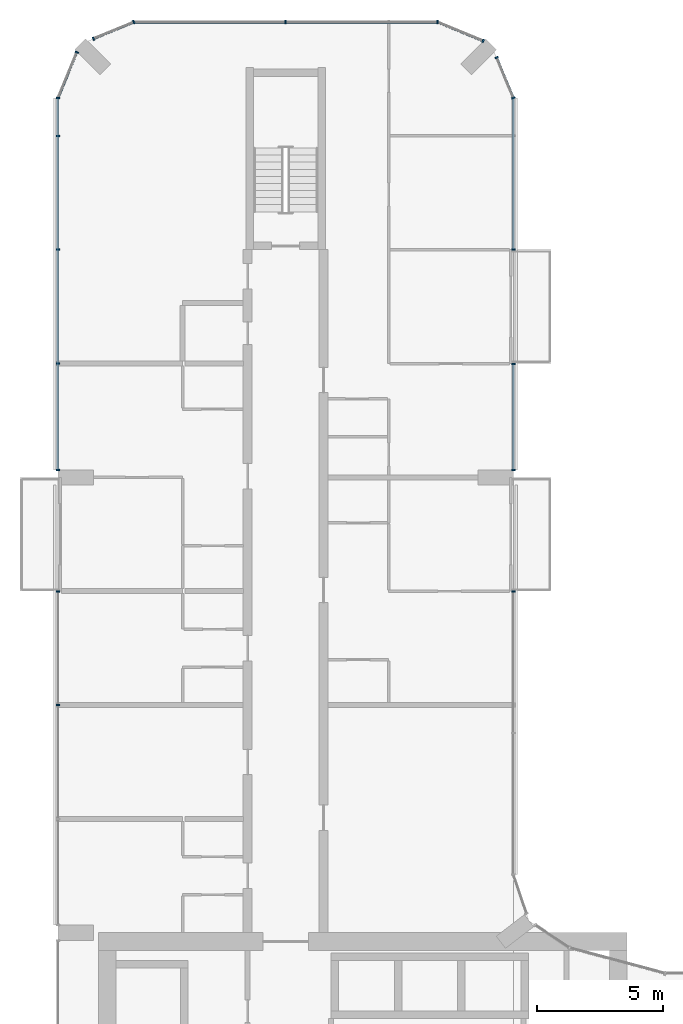
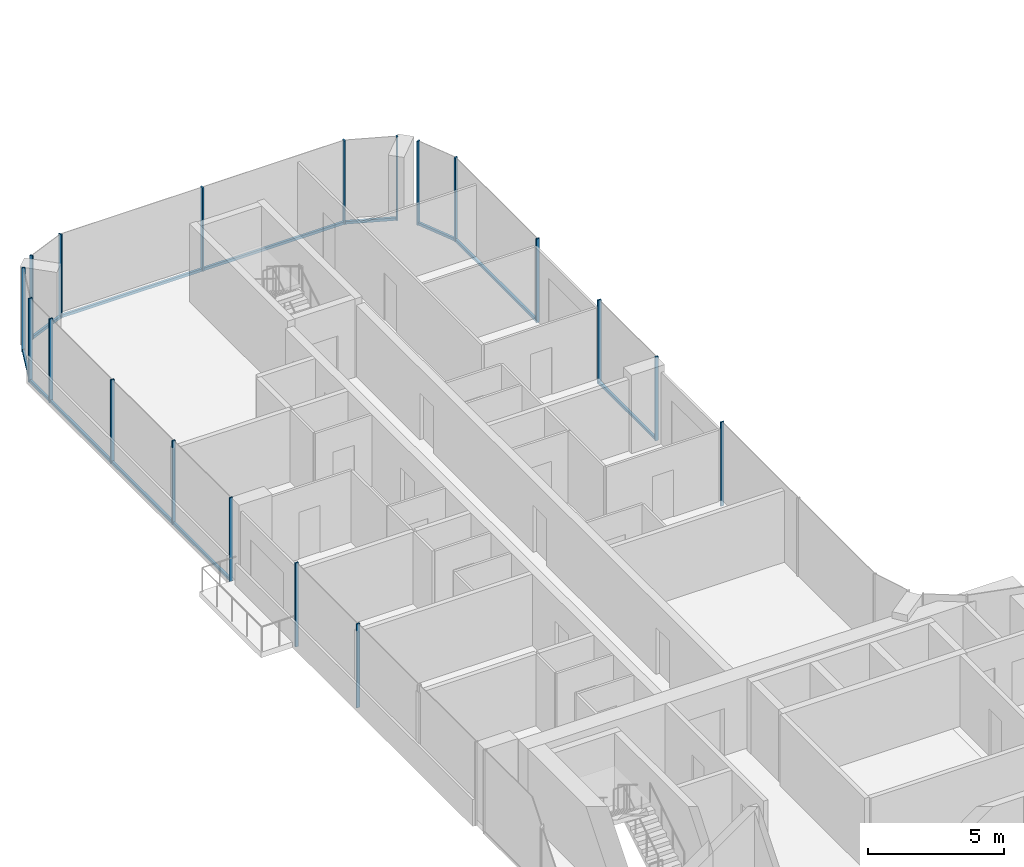
# One storey, part 6 of 22: 27 members, 10 elements without a shape of their own.
"""IFC4 building model written with IfcOpenShell, lengths in metres."""

import ifcopenshell
import ifcopenshell.guid

model = None  # the IFC model being written
_history = None  # IfcOwnerHistory: only IFC2X3 demands one
_inside = {}  # id of a spatial element -> (the spatial element, [elements in it])
_under = {}  # id of a project, library or spatial element -> (it, [spatial elements below it])
_declared = {}  # id of a project -> (the project, [libraries it declares])
_typed = {}  # id of a type object -> (the type object, [elements of that type])
_made_of = {}  # id of a material, layer set ... -> (it, [elements and type objects made of it])


def new_model(schema):
    """Start an empty IFC model of exactly this schema.

    Asked for "IFC4X3", IfcOpenShell would pick the latest addendum, in which some entities
    have other attributes; the version numbers below select the first issue.
    IFC2X3 requires an IfcOwnerHistory on every rooted entity: one is made here for all.
    """
    global model, _history
    if schema == "IFC4X3":
        model = ifcopenshell.file(schema_version=(4, 3, 0, 0))
    else:
        model = ifcopenshell.file(schema=schema)
    _inside.clear()
    _under.clear()
    _declared.clear()
    _typed.clear()
    _made_of.clear()
    _history = None
    if model.schema == "IFC2X3":
        org = make("IfcOrganization", Name="unknown")
        user = make(
            "IfcPersonAndOrganization",
            ThePerson=make("IfcPerson", FamilyName="unknown"),
            TheOrganization=org,
        )
        app = make(
            "IfcApplication",
            ApplicationDeveloper=org,
            Version="unknown",
            ApplicationFullName="unknown",
            ApplicationIdentifier="unknown",
        )
        _history = make(
            "IfcOwnerHistory",
            OwningUser=user,
            OwningApplication=app,
            ChangeAction="ADDED",
            CreationDate=0,
        )
    return model


def make(cls, **values):
    """One entity of the class cls with the attributes given. An attribute that is None is left unset."""
    return model.create_entity(
        cls, **{name: value for name, value in values.items() if value is not None}
    )


def rooted(cls, **values):
    """An entity with a GlobalId (a new one), such as an element, a storey or a relation."""
    return make(cls, GlobalId=ifcopenshell.guid.new(), OwnerHistory=_history, **values)


def si_unit(unit_type, name, prefix=None):
    """IfcSIUnit, for example si_unit("LENGTHUNIT", "METRE", prefix="MILLI")."""
    return make("IfcSIUnit", UnitType=unit_type, Prefix=prefix, Name=name)


def assignment(units):
    """IfcUnitAssignment: the units of a project."""
    return None if units is None else make("IfcUnitAssignment", Units=units)


def point(xyz):
    """IfcCartesianPoint."""
    return None if xyz is None else make("IfcCartesianPoint", Coordinates=xyz)


def direction(xyz):
    """IfcDirection."""
    return None if xyz is None else make("IfcDirection", DirectionRatios=xyz)


def frame(location, z_axis=None, x_axis=None):
    """IfcAxis2Placement3D, a coordinate frame: its origin and axes. An axis left out is left unset."""
    return make(
        "IfcAxis2Placement3D",
        Location=point(location),
        Axis=direction(z_axis),
        RefDirection=direction(x_axis),
    )


def frame_2d(location, x_axis=None):
    """IfcAxis2Placement2D, a coordinate frame in the plane: its origin and x axis."""
    return make(
        "IfcAxis2Placement2D", Location=point(location), RefDirection=direction(x_axis)
    )


def origin():
    """The frame at (0, 0, 0) with its axes left unset."""
    return frame((0.0, 0.0, 0.0))


def origin_2d():
    """The frame at (0, 0) in the plane with its x axis left unset."""
    return frame_2d((0.0, 0.0))


def place(relative_to, where):
    """IfcLocalPlacement: puts the frame where relative to a parent placement (None: the world)."""
    return make(
        "IfcLocalPlacement", PlacementRelTo=relative_to, RelativePlacement=where
    )


def context(
    kind, dimensions, precision=None, world=None, true_north=None, identifier=None
):
    """IfcGeometricRepresentationContext, for example the 3D "Model" context."""
    return make(
        "IfcGeometricRepresentationContext",
        ContextIdentifier=identifier,
        ContextType=kind,
        CoordinateSpaceDimension=dimensions,
        Precision=precision,
        WorldCoordinateSystem=world,
        TrueNorth=true_north,
    )


def subcontext(parent, identifier, kind, view, scale=None):
    """IfcGeometricRepresentationSubContext, for example "Body" below "Model"."""
    return make(
        "IfcGeometricRepresentationSubContext",
        ContextIdentifier=identifier,
        ContextType=kind,
        ParentContext=parent,
        TargetScale=scale,
        TargetView=view,
    )


def project(units=None, contexts=None):
    """IfcProject with its units and contexts."""
    return rooted(
        "IfcProject",
        Name="project",
        RepresentationContexts=contexts,
        UnitsInContext=assignment(units),
    )


def spatial(cls, under=None, at=None, **own):
    """A site, building, storey or space (cls), placed at a placement, below another one or the project."""
    s = rooted(cls, ObjectPlacement=at, **own)
    if under is not None:
        _under.setdefault(under.id(), (under, []))[1].append(s)
    return s


def profile(cls, at=None, kind="AREA", **sizes):
    """A parametric profile (cls). Its sizes go by their IFC names, for example OverallWidth=200.0."""
    return make(cls, ProfileType=kind, Position=at, **sizes)


def rectangle(**sizes):
    """IfcRectangleProfileDef."""
    return profile("IfcRectangleProfileDef", **sizes)


def extrude(swept, where, along, depth):
    """IfcExtrudedAreaSolid: the profile swept, set in the frame where, extruded along a direction by depth."""
    return make(
        "IfcExtrudedAreaSolid",
        SweptArea=swept,
        Position=where,
        ExtrudedDirection=direction(along),
        Depth=depth,
    )


def shape(context_of_items, identifier, shape_type, items):
    """IfcShapeRepresentation: the items that make up one representation, for example the "Body"."""
    return make(
        "IfcShapeRepresentation",
        ContextOfItems=context_of_items,
        RepresentationIdentifier=identifier,
        RepresentationType=shape_type,
        Items=items,
    )


def material(Name=None, Category=None):
    """IfcMaterial."""
    return make("IfcMaterial", Name=Name, Category=Category)


def layer(
    of_material, thickness, ventilated=None, Name=None, Category=None, Priority=None
):
    """IfcMaterialLayer: one layer of a wall or slab, of a material (None: an air gap)."""
    return make(
        "IfcMaterialLayer",
        Material=of_material,
        LayerThickness=thickness,
        IsVentilated=ventilated,
        Name=Name,
        Category=Category,
        Priority=Priority,
    )


def layer_set(layers, Name=None):
    """IfcMaterialLayerSet."""
    return make("IfcMaterialLayerSet", MaterialLayers=layers, LayerSetName=Name)


def material_profile(
    of_material, cross_section, Name=None, Category=None, Priority=None
):
    """IfcMaterialProfile: a cross section and its material."""
    return make(
        "IfcMaterialProfile",
        Name=Name,
        Material=of_material,
        Profile=cross_section,
        Priority=Priority,
        Category=Category,
    )


def profile_set(profiles, Name=None, composite=None):
    """IfcMaterialProfileSet."""
    return make(
        "IfcMaterialProfileSet",
        Name=Name,
        MaterialProfiles=profiles,
        CompositeProfile=composite,
    )


def made_of(thing, what):
    """Note that an element or type object is made of a material, layer set ...; save() writes the relation."""
    if what is not None:
        _made_of.setdefault(what.id(), (what, []))[1].append(thing)
    return thing


def type_object(cls, material=None, **own):
    """A type object (cls), such as IfcWallType, which elements share."""
    return made_of(rooted(cls, **own), material)


def element(
    cls,
    number,
    at=None,
    inside=None,
    cuts=None,
    type_object=None,
    material=None,
    context=None,
    identifier="Body",
    shape_type=None,
    held_by="IfcProductDefinitionShape",
    body=None,
    shapes=None,
    **own,
):
    """One element of the class cls, such as IfcWall. Its Tag is "e" and its number.

    at: its placement. inside: the storey or other place that contains it. cuts: it is an
    opening in that element (IfcRelVoidsElement). A single representation is given by context,
    identifier, shape_type and body (its items); several are given by shapes. held_by: the class
    of the entity that holds the representations. save() writes the other relations.
    """
    e = rooted(cls, Tag="e%d" % number, ObjectPlacement=at, **own)
    if body is not None:
        shapes = [shape(context, identifier, shape_type, body)]
    if shapes is not None:
        e.Representation = make(held_by, Representations=shapes)
    if inside is not None:
        _inside.setdefault(inside.id(), (inside, []))[1].append(e)
    if cuts is not None:
        rooted(
            "IfcRelVoidsElement", RelatingBuildingElement=cuts, RelatedOpeningElement=e
        )
    if type_object is not None:
        _typed.setdefault(type_object.id(), (type_object, []))[1].append(e)
    return made_of(e, material)


def aggregate(whole, parts):
    """IfcRelAggregates: a whole, such as a stair, and the parts it consists of."""
    return rooted("IfcRelAggregates", RelatingObject=whole, RelatedObjects=parts)


def save(model, path):
    """Write the relations noted so far, then the file.

    IfcRelAggregates (storeys below a building ...), IfcRelContainedInSpatialStructure (elements
    in a storey), IfcRelDefinesByType, IfcRelAssociatesMaterial and IfcRelDeclares: one each for
    every whole, place, type object, material and project.
    """
    for whole, parts in _under.values():
        aggregate(whole, parts)
    for where, things in _inside.values():
        rooted(
            "IfcRelContainedInSpatialStructure",
            RelatedElements=things,
            RelatingStructure=where,
        )
    for kind, things in _typed.values():
        rooted("IfcRelDefinesByType", RelatedObjects=things, RelatingType=kind)
    for what, things in _made_of.values():
        rooted("IfcRelAssociatesMaterial", RelatedObjects=things, RelatingMaterial=what)
    for by, libraries in _declared.values():
        rooted("IfcRelDeclares", RelatingContext=by, RelatedDefinitions=libraries)
    model.write(path)


model = new_model("IFC4")

# Units and contexts
model_context = context("Model", 3, precision=1e-05, world=origin(), true_north=direction((0.0, 1.0)))
body_context = subcontext(model_context, "Body", "Model", "MODEL_VIEW")
ifc_project = project(units=[si_unit("LENGTHUNIT", "METRE"), si_unit("AREAUNIT", "SQUARE_METRE"), si_unit("VOLUMEUNIT", "CUBIC_METRE"), si_unit("PLANEANGLEUNIT", "RADIAN"), si_unit("MASSUNIT", "GRAM", prefix="KILO")], contexts=[model_context])

# Site, building, storey
site_placement = place(None, origin())
site = spatial("IfcSite", under=ifc_project, at=site_placement, CompositionType="ELEMENT")
building_placement = place(site_placement, origin())
building = spatial("IfcBuilding", under=site, at=building_placement, Name="Plateau Cross Towers", CompositionType="ELEMENT")
storey_placement = place(building_placement, frame((0.0, 0.0, 68.800048828125)))
storey = spatial("IfcBuildingStorey", under=building, at=storey_placement, Name="L17", CompositionType="ELEMENT", Elevation=68.800048828125)

# Curtain wall, member
ifc_material_1 = material(Name="Dark low-iron glass", Category="glass")
ifc_layer = layer(ifc_material_1, 0.239990234375)
ifc_layer_set = layer_set([ifc_layer], Name="Dark low-iron glass")
curtain_wall_type = type_object("IfcCurtainWallType", Name="Curtain wall flush unitised CW-B", PredefinedType="NOTDEFINED", material=ifc_layer_set)
curtain_wall_1_placement = place(storey_placement, origin())
curtain_wall_1 = element("IfcCurtainWall", 1, at=curtain_wall_1_placement, inside=storey, type_object=curtain_wall_type, Name="ENV/A/L17/A180_203", PredefinedType="NOTDEFINED")
ifc_material_2 = material(Name="Black anodised aluminium", Category="aluminium")
ifc_material_profile_1 = material_profile(ifc_material_2, rectangle(XDim=0.06005859375, YDim=0.139892578125, at=origin_2d()), Name="MULLION 60x140")
ifc_profile_set_1 = profile_set([ifc_material_profile_1], Name="Black anodised aluminium")
member_type_1 = type_object("IfcMemberType", Name="Mullion 60x140 flush unitised", PredefinedType="MULLION", material=ifc_profile_set_1)
member_1_placement = place(storey_placement, frame((18.0, 31.489990234375, -0.25), z_axis=(0.0, 0.0, 1.0), x_axis=(0.0, 1.0, 0.0)))
member_1 = element("IfcMember", 2, at=member_1_placement, type_object=member_type_1, Name="CW-B mullion 3", PredefinedType="MULLION", context=body_context, shape_type="SweptSolid", body=[
    extrude(rectangle(XDim=0.06005859375, YDim=0.139892578125, at=origin_2d()), origin(), (0.0, 0.0, 1.0), 3.75),
])
aggregate(curtain_wall_1, [member_1])

# Curtain wall, members
curtain_wall_2_placement = place(storey_placement, origin())
curtain_wall_2 = element("IfcCurtainWall", 3, at=curtain_wall_2_placement, inside=storey, type_object=curtain_wall_type, Name="ENV/A/L17/A180_363", PredefinedType="NOTDEFINED")
member_2_placement = place(storey_placement, frame((18.0, 36.300048828125, -0.25), z_axis=(0.0, 0.0, 1.0), x_axis=(0.0, 1.0, 0.0)))
member_2 = element("IfcMember", 4, at=member_2_placement, type_object=member_type_1, Name="CW-B mullion 1", PredefinedType="MULLION", context=body_context, shape_type="SweptSolid", body=[
    extrude(rectangle(XDim=0.06005859375, YDim=0.139892578125, at=origin_2d()), origin(), (0.0, 0.0, 1.0), 3.75),
])
member_3_placement = place(storey_placement, frame((18.0, 40.489990234375, -0.25), z_axis=(0.0, 0.0, 1.0), x_axis=(0.0, 1.0, 0.0)))
member_3 = element("IfcMember", 5, at=member_3_placement, type_object=member_type_1, Name="CW-B mullion 2", PredefinedType="MULLION", context=body_context, shape_type="SweptSolid", body=[
    extrude(rectangle(XDim=0.06005859375, YDim=0.139892578125, at=origin_2d()), origin(), (0.0, 0.0, 1.0), 3.75),
])

# Curtain wall, member
curtain_wall_3_placement = place(storey_placement, origin())
curtain_wall_3 = element("IfcCurtainWall", 6, at=curtain_wall_3_placement, inside=storey, type_object=curtain_wall_type, Name="ENV/A/L17/A180_450", PredefinedType="NOTDEFINED")
member_4_placement = place(storey_placement, frame((18.0, 45.010009765625, -0.25), z_axis=(0.0, 0.0, 1.0), x_axis=(0.0, 1.0, 0.0)))
member_4 = element("IfcMember", 7, at=member_4_placement, type_object=member_type_1, Name="CW-B mullion 1", PredefinedType="MULLION", context=body_context, shape_type="SweptSolid", body=[
    extrude(rectangle(XDim=0.06005859375, YDim=0.139892578125, at=origin_2d()), origin(), (0.0, 0.0, 1.0), 3.75),
])

# Curtain wall, members
curtain_wall_4_placement = place(storey_placement, origin())
curtain_wall_4 = element("IfcCurtainWall", 8, at=curtain_wall_4_placement, inside=storey, type_object=curtain_wall_type, Name="ENV/A/L17/A180_510", PredefinedType="NOTDEFINED")
member_5_placement = place(storey_placement, frame((18.0, 51.0, -0.25), z_axis=(0.0, 0.0, 1.0), x_axis=(-0.382683612978, 0.923879457699, 0.0)))
member_5 = element("IfcMember", 9, at=member_5_placement, type_object=member_type_1, Name="CW-B mullion 1", PredefinedType="MULLION", context=body_context, shape_type="SweptSolid", body=[
    extrude(rectangle(XDim=0.06005859375, YDim=0.139892578125, at=origin_2d()), origin(), (0.0, 0.0, 1.0), 3.75),
])
member_6_placement = place(storey_placement, frame((17.338623046875, 52.5966796875, -0.25), z_axis=(0.0, 0.0, 1.0), x_axis=(-0.382683612978, 0.923879457699, 0.0)))
member_6 = element("IfcMember", 10, at=member_6_placement, type_object=member_type_1, Name="CW-B mullion 2", PredefinedType="MULLION", context=body_context, shape_type="SweptSolid", body=[
    extrude(rectangle(XDim=0.06005859375, YDim=0.139892578125, at=origin_2d()), origin(), (0.0, 0.0, 1.0), 3.75),
])

# Curtain wall, member
curtain_wall_5_placement = place(storey_placement, origin())
curtain_wall_5 = element("IfcCurtainWall", 11, at=curtain_wall_5_placement, inside=storey, type_object=curtain_wall_type, Name="ENV/A/L17/A168_533", PredefinedType="NOTDEFINED")
member_7_placement = place(storey_placement, frame((16.805908203125, 53.251953125, -0.25), z_axis=(0.0, 0.0, 1.0), x_axis=(-0.923879457699, 0.382683612978, 0.0)))
member_7 = element("IfcMember", 12, at=member_7_placement, type_object=member_type_1, Name="CW-B mullion 1", PredefinedType="MULLION", context=body_context, shape_type="SweptSolid", body=[
    extrude(rectangle(XDim=0.06005859375, YDim=0.139892578125, at=origin_2d()), origin(), (0.0, 0.0, 1.0), 3.75),
])

# Curtain wall, members
curtain_wall_6_placement = place(storey_placement, origin())
curtain_wall_6 = element("IfcCurtainWall", 13, at=curtain_wall_6_placement, inside=storey, type_object=curtain_wall_type, Name="ENV/A/L17/A150_540", PredefinedType="NOTDEFINED")
member_8_placement = place(storey_placement, frame((15.0, 54.0, -0.25), z_axis=(0.0, 0.0, 1.0), x_axis=(-1.0, 0.0, 0.0)))
member_8 = element("IfcMember", 14, at=member_8_placement, type_object=member_type_1, Name="CW-B mullion 1", PredefinedType="MULLION", context=body_context, shape_type="SweptSolid", body=[
    extrude(rectangle(XDim=0.06005859375, YDim=0.139892578125, at=origin_2d()), origin(), (0.0, 0.0, 1.0), 3.75),
])
member_9_placement = place(storey_placement, frame((9.0, 54.0, -0.25), z_axis=(0.0, 0.0, 1.0), x_axis=(-1.0, 0.0, 0.0)))
member_9 = element("IfcMember", 15, at=member_9_placement, type_object=member_type_1, Name="CW-B mullion 2", PredefinedType="MULLION", context=body_context, shape_type="SweptSolid", body=[
    extrude(rectangle(XDim=0.06005859375, YDim=0.139892578125, at=origin_2d()), origin(), (0.0, 0.0, 1.0), 3.75),
])

curtain_wall_7_placement = place(storey_placement, origin())
curtain_wall_7 = element("IfcCurtainWall", 16, at=curtain_wall_7_placement, inside=storey, type_object=curtain_wall_type, Name="ENV/A/L17/A30_540", PredefinedType="NOTDEFINED")
member_10_placement = place(storey_placement, frame((3.0, 54.0, -0.25), z_axis=(0.0, 0.0, 1.0), x_axis=(-0.923879457699, -0.382683612978, 0.0)))
member_10 = element("IfcMember", 17, at=member_10_placement, type_object=member_type_1, Name="CW-B mullion 1", PredefinedType="MULLION", context=body_context, shape_type="SweptSolid", body=[
    extrude(rectangle(XDim=0.06005859375, YDim=0.139892578125, at=origin_2d()), origin(), (0.0, 0.0, 1.0), 3.75),
])
member_11_placement = place(storey_placement, frame((1.4033203125, 53.338623046875, -0.25), z_axis=(0.0, 0.0, 1.0), x_axis=(-0.923879457699, -0.382683612978, 0.0)))
member_11 = element("IfcMember", 18, at=member_11_placement, type_object=member_type_1, Name="CW-B mullion 2", PredefinedType="MULLION", context=body_context, shape_type="SweptSolid", body=[
    extrude(rectangle(XDim=0.06005859375, YDim=0.139892578125, at=origin_2d()), origin(), (0.0, 0.0, 1.0), 3.75),
])

# Curtain wall, member
curtain_wall_8_placement = place(storey_placement, origin())
curtain_wall_8 = element("IfcCurtainWall", 19, at=curtain_wall_8_placement, inside=storey, type_object=curtain_wall_type, Name="ENV/A/L17/A7_528", PredefinedType="NOTDEFINED")
member_12_placement = place(storey_placement, frame((0.748046875, 52.805908203125, -0.25), z_axis=(0.0, 0.0, 1.0), x_axis=(-0.382683612978, -0.923879457699, 0.0)))
member_12 = element("IfcMember", 20, at=member_12_placement, type_object=member_type_1, Name="CW-B mullion 1", PredefinedType="MULLION", context=body_context, shape_type="SweptSolid", body=[
    extrude(rectangle(XDim=0.06005859375, YDim=0.139892578125, at=origin_2d()), origin(), (0.0, 0.0, 1.0), 3.75),
])

# Curtain wall, members
curtain_wall_9_placement = place(storey_placement, origin())
curtain_wall_9 = element("IfcCurtainWall", 21, at=curtain_wall_9_placement, inside=storey, type_object=curtain_wall_type, Name="ENV/A/L17/A0_510", PredefinedType="NOTDEFINED")
member_13_placement = place(storey_placement, frame((0.0, 51.0, -0.25), z_axis=(0.0, 0.0, 1.0), x_axis=(0.0, -1.0, 0.0)))
member_13 = element("IfcMember", 22, at=member_13_placement, type_object=member_type_1, Name="CW-B mullion 1", PredefinedType="MULLION", context=body_context, shape_type="SweptSolid", body=[
    extrude(rectangle(XDim=0.06005859375, YDim=0.139892578125, at=origin_2d()), origin(), (0.0, 0.0, 1.0), 3.75),
])
member_14_placement = place(storey_placement, frame((0.0, 49.5, -0.25), z_axis=(0.0, 0.0, 1.0), x_axis=(0.0, -1.0, 0.0)))
member_14 = element("IfcMember", 23, at=member_14_placement, type_object=member_type_1, Name="CW-B mullion 2", PredefinedType="MULLION", context=body_context, shape_type="SweptSolid", body=[
    extrude(rectangle(XDim=0.06005859375, YDim=0.139892578125, at=origin_2d()), origin(), (0.0, 0.0, 1.0), 3.75),
])
member_15_placement = place(storey_placement, frame((0.0, 45.0, -0.25), z_axis=(0.0, 0.0, 1.0), x_axis=(0.0, -1.0, 0.0)))
member_15 = element("IfcMember", 24, at=member_15_placement, type_object=member_type_1, Name="CW-B mullion 3", PredefinedType="MULLION", context=body_context, shape_type="SweptSolid", body=[
    extrude(rectangle(XDim=0.06005859375, YDim=0.139892578125, at=origin_2d()), origin(), (0.0, 0.0, 1.0), 3.75),
])
member_16_placement = place(storey_placement, frame((0.0, 40.5, -0.25), z_axis=(0.0, 0.0, 1.0), x_axis=(0.0, -1.0, 0.0)))
member_16 = element("IfcMember", 25, at=member_16_placement, type_object=member_type_1, Name="CW-B mullion 4", PredefinedType="MULLION", context=body_context, shape_type="SweptSolid", body=[
    extrude(rectangle(XDim=0.06005859375, YDim=0.139892578125, at=origin_2d()), origin(), (0.0, 0.0, 1.0), 3.75),
])
member_17_placement = place(storey_placement, frame((0.0, 36.300048828125, -0.25), z_axis=(0.0, 0.0, 1.0), x_axis=(0.0, -1.0, 0.0)))
member_17 = element("IfcMember", 26, at=member_17_placement, type_object=member_type_1, Name="CW-B mullion 5", PredefinedType="MULLION", context=body_context, shape_type="SweptSolid", body=[
    extrude(rectangle(XDim=0.06005859375, YDim=0.139892578125, at=origin_2d()), origin(), (0.0, 0.0, 1.0), 3.75),
])

curtain_wall_10_placement = place(storey_placement, origin())
curtain_wall_10 = element("IfcCurtainWall", 27, at=curtain_wall_10_placement, inside=storey, type_object=curtain_wall_type, Name="ENV/A/L17/A0_315", PredefinedType="NOTDEFINED")
member_18_placement = place(storey_placement, frame((0.0, 31.489990234375, -0.25), z_axis=(0.0, 0.0, 1.0), x_axis=(0.0, -1.0, 0.0)))
member_18 = element("IfcMember", 28, at=member_18_placement, type_object=member_type_1, Name="CW-B mullion 1", PredefinedType="MULLION", context=body_context, shape_type="SweptSolid", body=[
    extrude(rectangle(XDim=0.06005859375, YDim=0.139892578125, at=origin_2d()), origin(), (0.0, 0.0, 1.0), 3.75),
])
member_19_placement = place(storey_placement, frame((0.0, 27.0, -0.25), z_axis=(0.0, 0.0, 1.0), x_axis=(0.0, -1.0, 0.0)))
member_19 = element("IfcMember", 29, at=member_19_placement, type_object=member_type_1, Name="CW-B mullion 2", PredefinedType="MULLION", context=body_context, shape_type="SweptSolid", body=[
    extrude(rectangle(XDim=0.06005859375, YDim=0.139892578125, at=origin_2d()), origin(), (0.0, 0.0, 1.0), 3.75),
])
aggregate(curtain_wall_10, [member_18, member_19])

# Member
ifc_material_profile_2 = material_profile(ifc_material_2, rectangle(XDim=0.10009765625, YDim=0.1201171875, at=origin_2d()), Name="TRANSOM 100x120")
ifc_profile_set_2 = profile_set([ifc_material_profile_2], Name="Black anodised aluminium")
member_type_2 = type_object("IfcMemberType", Name="Transom 100x120 flush unitised", PredefinedType="USERDEFINED", material=ifc_profile_set_2)
member_20_placement = place(storey_placement, frame((18.0, 36.300048828125, -0.18994140625), z_axis=(0.0, 1.0, 0.0), x_axis=(-1.0, 0.0, 0.0)))
member_20 = element("IfcMember", 30, at=member_20_placement, type_object=member_type_2, Name="CW-B transom", ObjectType="TRANSOM", PredefinedType="USERDEFINED", context=body_context, shape_type="SweptSolid", body=[
    extrude(rectangle(XDim=0.10009765625, YDim=0.1201171875, at=origin_2d()), origin(), (0.0, 0.0, 1.0), 4.18994140625),
])

aggregate(curtain_wall_2, [member_2, member_3, member_20])

member_21_placement = place(storey_placement, frame((18.0, 45.010009765625, -0.18994140625), z_axis=(0.0, 1.0, 0.0), x_axis=(-1.0, 0.0, 0.0)))
member_21 = element("IfcMember", 31, at=member_21_placement, type_object=member_type_2, Name="CW-B transom", ObjectType="TRANSOM", PredefinedType="USERDEFINED", context=body_context, shape_type="SweptSolid", body=[
    extrude(rectangle(XDim=0.10009765625, YDim=0.1201171875, at=origin_2d()), origin(), (0.0, 0.0, 1.0), 5.989990234375),
])

aggregate(curtain_wall_3, [member_4, member_21])

member_22_placement = place(storey_placement, frame((18.0, 51.0, -0.18994140625), z_axis=(-0.382688653628, 0.923877369776, 0.0), x_axis=(-0.923877369776, -0.382688653628, 0.0)))
member_22 = element("IfcMember", 32, at=member_22_placement, type_object=member_type_2, Name="CW-B transom", ObjectType="TRANSOM", PredefinedType="USERDEFINED", context=body_context, shape_type="SweptSolid", body=[
    extrude(rectangle(XDim=0.10009765625, YDim=0.1201171875, at=origin_2d()), origin(), (0.0, 0.0, 1.0), 1.728271484375),
])

aggregate(curtain_wall_4, [member_5, member_6, member_22])

member_23_placement = place(storey_placement, frame((16.805908203125, 53.251953125, -0.18994140625), z_axis=(-0.92387678234, 0.382690071798, 0.0), x_axis=(-0.382690071798, -0.92387678234, 0.0)))
member_23 = element("IfcMember", 33, at=member_23_placement, type_object=member_type_2, Name="CW-B transom", ObjectType="TRANSOM", PredefinedType="USERDEFINED", context=body_context, shape_type="SweptSolid", body=[
    extrude(rectangle(XDim=0.10009765625, YDim=0.1201171875, at=origin_2d()), origin(), (0.0, 0.0, 1.0), 1.95458984375),
])

aggregate(curtain_wall_5, [member_7, member_23])

member_24_placement = place(storey_placement, frame((15.0, 54.0, -0.18994140625), z_axis=(-1.0, 0.0, 0.0), x_axis=(0.0, -1.0, 0.0)))
member_24 = element("IfcMember", 34, at=member_24_placement, type_object=member_type_2, Name="CW-B transom", ObjectType="TRANSOM", PredefinedType="USERDEFINED", context=body_context, shape_type="SweptSolid", body=[
    extrude(rectangle(XDim=0.10009765625, YDim=0.1201171875, at=origin_2d()), origin(), (0.0, 0.0, 1.0), 12.0),
])

aggregate(curtain_wall_6, [member_8, member_9, member_24])

member_25_placement = place(storey_placement, frame((3.0, 54.0, -0.18994140625), z_axis=(-0.923877369776, -0.382688653628, 0.0), x_axis=(0.382688653628, -0.923877369776, 0.0)))
member_25 = element("IfcMember", 35, at=member_25_placement, type_object=member_type_2, Name="CW-B transom", ObjectType="TRANSOM", PredefinedType="USERDEFINED", context=body_context, shape_type="SweptSolid", body=[
    extrude(rectangle(XDim=0.10009765625, YDim=0.1201171875, at=origin_2d()), origin(), (0.0, 0.0, 1.0), 1.728271484375),
])

aggregate(curtain_wall_7, [member_10, member_11, member_25])

member_26_placement = place(storey_placement, frame((0.748046875, 52.805908203125, -0.18994140625), z_axis=(-0.382690071798, -0.92387678234, 0.0), x_axis=(0.92387678234, -0.382690071798, 0.0)))
member_26 = element("IfcMember", 36, at=member_26_placement, type_object=member_type_2, Name="CW-B transom", ObjectType="TRANSOM", PredefinedType="USERDEFINED", context=body_context, shape_type="SweptSolid", body=[
    extrude(rectangle(XDim=0.10009765625, YDim=0.1201171875, at=origin_2d()), origin(), (0.0, 0.0, 1.0), 1.95458984375),
])

aggregate(curtain_wall_8, [member_12, member_26])

member_27_placement = place(storey_placement, frame((0.0, 51.0, -0.18994140625), z_axis=(0.0, -1.0, 0.0), x_axis=(1.0, 0.0, 0.0)))
member_27 = element("IfcMember", 37, at=member_27_placement, type_object=member_type_2, Name="CW-B transom", ObjectType="TRANSOM", PredefinedType="USERDEFINED", context=body_context, shape_type="SweptSolid", body=[
    extrude(rectangle(XDim=0.10009765625, YDim=0.1201171875, at=origin_2d()), origin(), (0.0, 0.0, 1.0), 14.699951171875),
])

aggregate(curtain_wall_9, [member_13, member_14, member_15, member_16, member_17, member_27])

save(model, "model.ifc")
